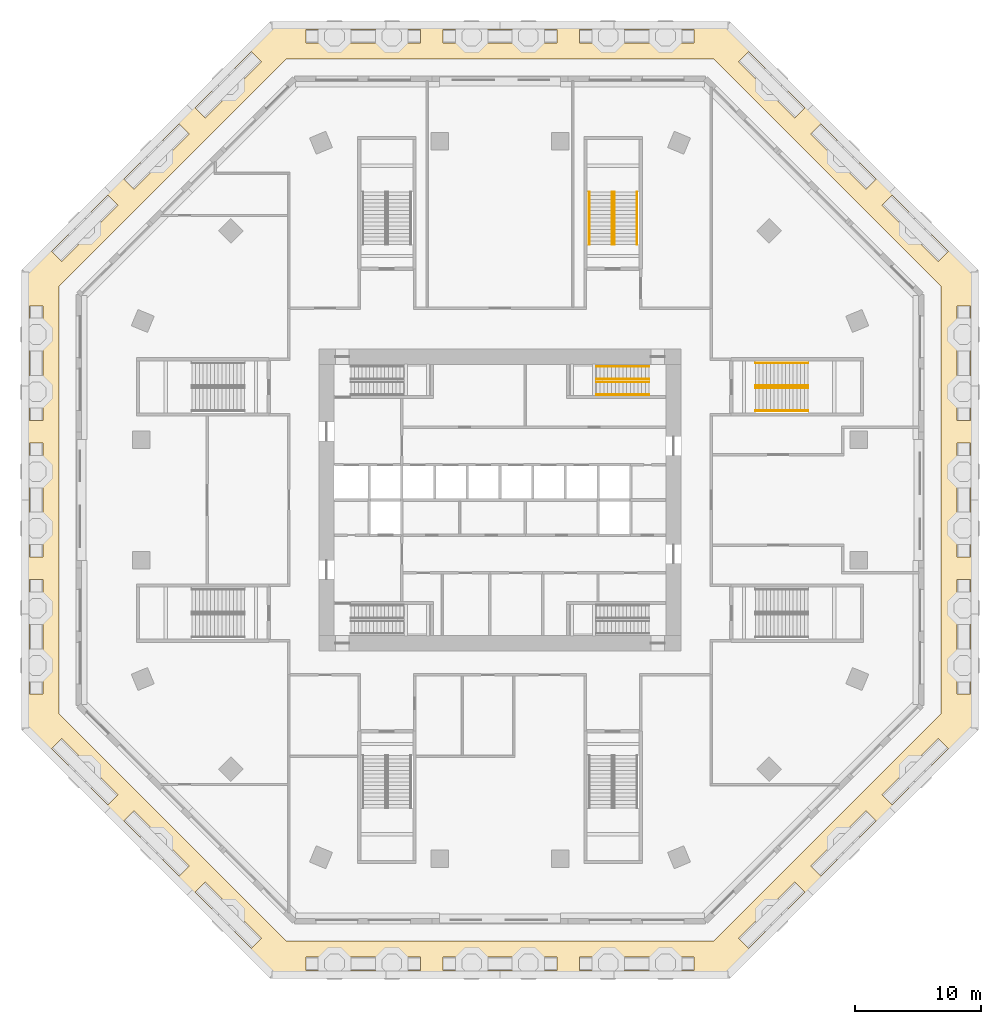
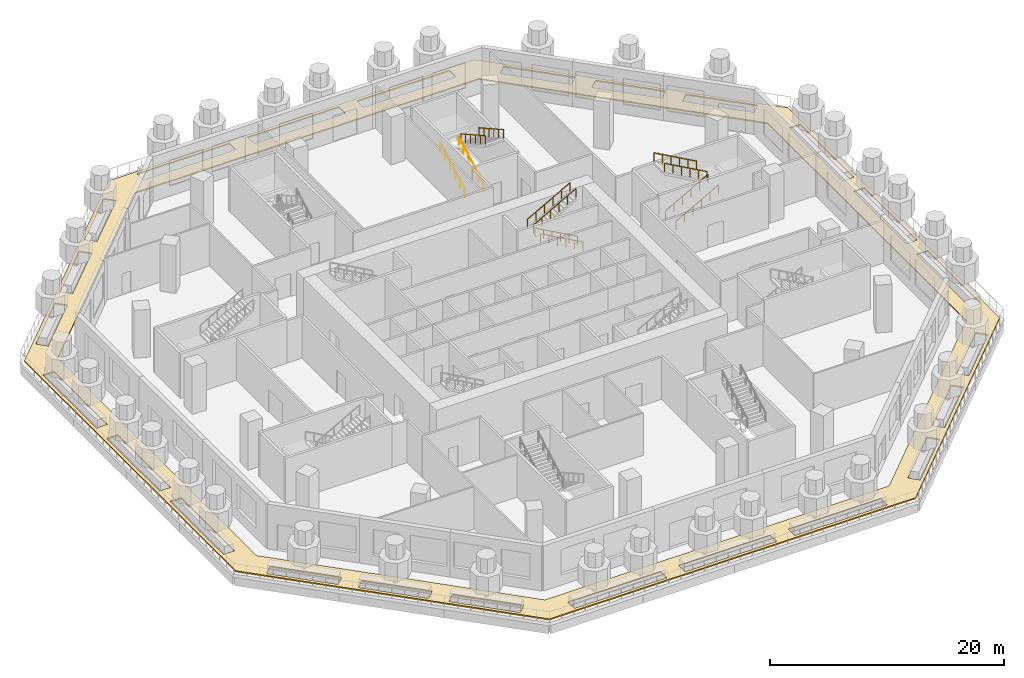
# One storey, part 12 of 13: 12 railings, 1 covering.
"""IFC4 building model written with IfcOpenShell, lengths in metres."""

from ifc_helpers import new_model, si_unit, direction, frame, origin, origin_2d, place, context, subcontext, project, spatial, polyline, circle, outline, extrude, material, layer, layer_set, constituent, constituent_set, type_object, element, save


model = new_model("IFC4")

# Units and contexts
model_context = context("Model", 3, precision=1e-05, world=origin(), true_north=direction((0.0, 1.0)))
body_context = subcontext(model_context, "Body", "Model", "MODEL_VIEW")
ifc_project = project(units=[si_unit("LENGTHUNIT", "METRE"), si_unit("AREAUNIT", "SQUARE_METRE"), si_unit("VOLUMEUNIT", "CUBIC_METRE"), si_unit("PLANEANGLEUNIT", "RADIAN"), si_unit("MASSUNIT", "GRAM", prefix="KILO")], contexts=[model_context])

# Site, building, storey
site_placement = place(None, origin())
site = spatial("IfcSite", under=ifc_project, at=site_placement, CompositionType="ELEMENT")
building_placement = place(site_placement, origin())
building = spatial("IfcBuilding", under=site, at=building_placement, Name="Msitu Wima Residences", CompositionType="ELEMENT")
storey_placement = place(building_placement, frame((0.0, 0.0, 16.0)))
storey = spatial("IfcBuildingStorey", under=building, at=storey_placement, Name="L03", CompositionType="ELEMENT", Elevation=16.0)

# Railings
ifc_material_1 = material(Name="Steel S355", Category="steel")
ifc_constituent_1 = constituent(ifc_material_1, Name="Steel S355")
ifc_material_2 = material(Name="Black powder coating")
ifc_constituent_2 = constituent(ifc_material_2, Name="Black powder coating")
ifc_constituent_set = constituent_set(constituents=[ifc_constituent_1, ifc_constituent_2], Name="Steel S355")
railing_type = type_object("IfcRailingType", Name="Stair handrail HR1", PredefinedType="HANDRAIL", material=ifc_constituent_set)
for number, where, name in (
    (1, (11.875, 8.375, 0.166748046875), "Stair 3 handrail"),
    (2, (11.875, 9.375, 0.166748046875), "Stair 3 handrail"),
):
    element("IfcRailing", number, at=place(storey_placement, frame(where)), inside=storey, type_object=railing_type, Name=name, PredefinedType="HANDRAIL", context=body_context, shape_type="SweptSolid", body=[
        extrude(circle(Radius=0.02392578125, at=origin_2d()), frame((0.0, 0.0, 0.8759765625), z_axis=(-0.874162069901, 0.0, 0.485634302275), x_axis=(0.0, -1.0, 0.0)), (0.0, 0.0, 1.0), 4.804443359375),
        extrude(circle(Radius=0.02099609375, at=origin_2d()), origin(), (0.0, 0.0, 1.0), 0.851806640625),
        extrude(circle(Radius=0.02099609375, at=origin_2d()), frame((-0.840087890625, 0.0, 0.466552734375)), (0.0, 0.0, 1.0), 0.851806640625),
        extrude(circle(Radius=0.02099609375, at=origin_2d()), frame((-1.679931640625, 0.0, 0.933349609375)), (0.0, 0.0, 1.0), 0.851806640625),
        extrude(circle(Radius=0.02099609375, at=origin_2d()), frame((-2.52001953125, 0.0, 1.39990234375)), (0.0, 0.0, 1.0), 0.851806640625),
        extrude(circle(Radius=0.02099609375, at=origin_2d()), frame((-3.35986328125, 0.0, 1.86669921875)), (0.0, 0.0, 1.0), 0.851806640625),
        extrude(circle(Radius=0.02099609375, at=origin_2d()), frame((-4.199951171875, 0.0, 2.333251953125)), (0.0, 0.0, 1.0), 0.851806640625),
    ])
for number, where, name in (
    (3, (7.675048828125, 9.625, 2.666748046875), "Stair 3 handrail"),
    (4, (7.675048828125, 10.625, 2.666748046875), "Stair 3 handrail"),
    (5, (20.324951171875, 7.10009765625, 0.166748046875), "Podium exit stair 1 handrail"),
    (6, (20.324951171875, 8.89990234375, 0.166748046875), "Podium exit stair 1 handrail"),
):
    element("IfcRailing", number, at=place(storey_placement, frame(where)), inside=storey, type_object=railing_type, Name=name, PredefinedType="HANDRAIL", context=body_context, shape_type="SweptSolid", body=[
        extrude(circle(Radius=0.02392578125, at=origin_2d()), frame((0.0, 0.0, 0.8759765625), z_axis=(0.874162069901, 0.0, 0.485634302275), x_axis=(0.0, 1.0, 0.0)), (0.0, 0.0, 1.0), 4.804443359375),
        extrude(circle(Radius=0.02099609375, at=origin_2d()), origin(), (0.0, 0.0, 1.0), 0.851806640625),
        extrude(circle(Radius=0.02099609375, at=origin_2d()), frame((0.840087890625, 0.0, 0.466552734375)), (0.0, 0.0, 1.0), 0.851806640625),
        extrude(circle(Radius=0.02099609375, at=origin_2d()), frame((1.679931640625, 0.0, 0.933349609375)), (0.0, 0.0, 1.0), 0.851806640625),
        extrude(circle(Radius=0.02099609375, at=origin_2d()), frame((2.52001953125, 0.0, 1.39990234375)), (0.0, 0.0, 1.0), 0.851806640625),
        extrude(circle(Radius=0.02099609375, at=origin_2d()), frame((3.35986328125, 0.0, 1.86669921875)), (0.0, 0.0, 1.0), 0.851806640625),
        extrude(circle(Radius=0.02099609375, at=origin_2d()), frame((4.199951171875, 0.0, 2.333251953125)), (0.0, 0.0, 1.0), 0.851806640625),
    ])
for number, where, name in (
    (7, (24.52490234375, 9.10009765625, 2.666748046875), "Podium exit stair 1 handrail"),
    (8, (24.52490234375, 10.89990234375, 2.666748046875), "Podium exit stair 1 handrail"),
):
    element("IfcRailing", number, at=place(storey_placement, frame(where)), inside=storey, type_object=railing_type, Name=name, PredefinedType="HANDRAIL", context=body_context, shape_type="SweptSolid", body=[
        extrude(circle(Radius=0.02392578125, at=origin_2d()), frame((0.0, 0.0, 0.8759765625), z_axis=(-0.874162069901, 0.0, 0.485634302275), x_axis=(0.0, -1.0, 0.0)), (0.0, 0.0, 1.0), 4.804443359375),
        extrude(circle(Radius=0.02099609375, at=origin_2d()), origin(), (0.0, 0.0, 1.0), 0.851806640625),
        extrude(circle(Radius=0.02099609375, at=origin_2d()), frame((-0.840087890625, 0.0, 0.466552734375)), (0.0, 0.0, 1.0), 0.851806640625),
        extrude(circle(Radius=0.02099609375, at=origin_2d()), frame((-1.679931640625, 0.0, 0.933349609375)), (0.0, 0.0, 1.0), 0.851806640625),
        extrude(circle(Radius=0.02099609375, at=origin_2d()), frame((-2.52001953125, 0.0, 1.39990234375)), (0.0, 0.0, 1.0), 0.851806640625),
        extrude(circle(Radius=0.02099609375, at=origin_2d()), frame((-3.35986328125, 0.0, 1.86669921875)), (0.0, 0.0, 1.0), 0.851806640625),
        extrude(circle(Radius=0.02099609375, at=origin_2d()), frame((-4.199951171875, 0.0, 2.333251953125)), (0.0, 0.0, 1.0), 0.851806640625),
    ])
for number, where, name in (
    (9, (7.10009765625, 20.324951171875, 0.166748046875), "Podium exit stair 4 handrail"),
    (10, (8.89990234375, 20.324951171875, 0.166748046875), "Podium exit stair 4 handrail"),
):
    element("IfcRailing", number, at=place(storey_placement, frame(where)), inside=storey, type_object=railing_type, Name=name, PredefinedType="HANDRAIL", context=body_context, shape_type="SweptSolid", body=[
        extrude(circle(Radius=0.02392578125, at=origin_2d()), frame((0.0, 0.0, 0.8759765625), z_axis=(0.0, 0.874162069901, 0.485634302275), x_axis=(-1.0, 0.0, 0.0)), (0.0, 0.0, 1.0), 4.804443359375),
        extrude(circle(Radius=0.02099609375, at=origin_2d()), origin(), (0.0, 0.0, 1.0), 0.851806640625),
        extrude(circle(Radius=0.02099609375, at=origin_2d()), frame((0.0, 0.840087890625, 0.466552734375)), (0.0, 0.0, 1.0), 0.851806640625),
        extrude(circle(Radius=0.02099609375, at=origin_2d()), frame((0.0, 1.679931640625, 0.933349609375)), (0.0, 0.0, 1.0), 0.851806640625),
        extrude(circle(Radius=0.02099609375, at=origin_2d()), frame((0.0, 2.52001953125, 1.39990234375)), (0.0, 0.0, 1.0), 0.851806640625),
        extrude(circle(Radius=0.02099609375, at=origin_2d()), frame((0.0, 3.35986328125, 1.86669921875)), (0.0, 0.0, 1.0), 0.851806640625),
        extrude(circle(Radius=0.02099609375, at=origin_2d()), frame((0.0, 4.199951171875, 2.333251953125)), (0.0, 0.0, 1.0), 0.851806640625),
    ])
for number, where, name in (
    (11, (9.10009765625, 24.52490234375, 2.666748046875), "Podium exit stair 4 handrail"),
    (12, (10.89990234375, 24.52490234375, 2.666748046875), "Podium exit stair 4 handrail"),
):
    element("IfcRailing", number, at=place(storey_placement, frame(where)), inside=storey, type_object=railing_type, Name=name, PredefinedType="HANDRAIL", context=body_context, shape_type="SweptSolid", body=[
        extrude(circle(Radius=0.02392578125, at=origin_2d()), frame((0.0, 0.0, 0.8759765625), z_axis=(0.0, -0.874162069901, 0.485634302275), x_axis=(1.0, 0.0, 0.0)), (0.0, 0.0, 1.0), 4.804443359375),
        extrude(circle(Radius=0.02099609375, at=origin_2d()), origin(), (0.0, 0.0, 1.0), 0.851806640625),
        extrude(circle(Radius=0.02099609375, at=origin_2d()), frame((0.0, -0.840087890625, 0.466552734375)), (0.0, 0.0, 1.0), 0.851806640625),
        extrude(circle(Radius=0.02099609375, at=origin_2d()), frame((0.0, -1.679931640625, 0.933349609375)), (0.0, 0.0, 1.0), 0.851806640625),
        extrude(circle(Radius=0.02099609375, at=origin_2d()), frame((0.0, -2.52001953125, 1.39990234375)), (0.0, 0.0, 1.0), 0.851806640625),
        extrude(circle(Radius=0.02099609375, at=origin_2d()), frame((0.0, -3.35986328125, 1.86669921875)), (0.0, 0.0, 1.0), 0.851806640625),
        extrude(circle(Radius=0.02099609375, at=origin_2d()), frame((0.0, -4.199951171875, 2.333251953125)), (0.0, 0.0, 1.0), 0.851806640625),
    ])

# Covering
ifc_material_3 = material(Name="Lawn and planting")
ifc_layer = layer(ifc_material_3, 0.1201171875)
ifc_layer_set = layer_set([ifc_layer], Name="Lawn and planting")
covering_type = type_object("IfcCoveringType", Name="Terrace planting PL120", PredefinedType="USERDEFINED", material=ifc_layer_set)
covering_placement = place(storey_placement, origin())
element("IfcCovering", 13, at=covering_placement, inside=storey, type_object=covering_type, Name="Terrace planting L03 1", ObjectType="PLANTING", PredefinedType="USERDEFINED", context=body_context, shape_type="SweptSolid", body=[
    extrude(outline(polyline([(-18.107177734375, -37.75), (-37.75, -18.107177734375), (-37.75, 18.107177734375), (-18.107177734375, 37.75), (18.107177734375, 37.75), (37.75, 18.107177734375), (37.75, -18.107177734375), (18.107177734375, -37.75), (-18.107177734375, -37.75)]), holes=[polyline([(-15.457275390625, -36.35009765625), (-15.457275390625, -37.449951171875), (-6.3212890625, -37.449951171875), (-6.3212890625, -36.35009765625), (-15.457275390625, -36.35009765625)]), polyline([(4.521240234375, -36.35009765625), (-4.521240234375, -36.35009765625), (-4.521240234375, -37.449951171875), (4.521240234375, -37.449951171875), (4.521240234375, -36.35009765625)]), polyline([(-18.9912109375, -34.88623046875), (-23.462890625, -30.414306640625), (-24.24072265625, -31.192138671875), (-19.76904296875, -35.6640625), (-18.9912109375, -34.88623046875)]), polyline([(-29.1416015625, -24.735595703125), (-29.91943359375, -25.513427734375), (-25.513427734375, -29.91943359375), (-24.735595703125, -29.1416015625), (-29.1416015625, -24.735595703125)]), polyline([(-30.414306640625, -23.462890625), (-34.88623046875, -18.9912109375), (-35.6640625, -19.76904296875), (-31.192138671875, -24.24072265625), (-30.414306640625, -23.462890625)]), polyline([(-36.35009765625, -15.457275390625), (-36.35009765625, -6.3212890625), (-37.449951171875, -6.3212890625), (-37.449951171875, -15.457275390625), (-36.35009765625, -15.457275390625)]), polyline([(-36.35009765625, 4.521240234375), (-37.449951171875, 4.521240234375), (-37.449951171875, -4.521240234375), (-36.35009765625, -4.521240234375), (-36.35009765625, 4.521240234375)]), polyline([(-36.35009765625, 6.3212890625), (-36.35009765625, 15.457275390625), (-37.449951171875, 15.457275390625), (-37.449951171875, 6.3212890625), (-36.35009765625, 6.3212890625)]), polyline([(-34.88623046875, 18.9912109375), (-30.414306640625, 23.462890625), (-31.192138671875, 24.24072265625), (-35.6640625, 19.76904296875), (-34.88623046875, 18.9912109375)]), polyline([(-24.735595703125, 29.1416015625), (-25.513427734375, 29.91943359375), (-29.91943359375, 25.513427734375), (-29.1416015625, 24.735595703125), (-24.735595703125, 29.1416015625)]), polyline([(-23.462890625, 30.414306640625), (-18.9912109375, 34.88623046875), (-19.76904296875, 35.6640625), (-24.24072265625, 31.192138671875), (-23.462890625, 30.414306640625)]), polyline([(-15.457275390625, 36.35009765625), (-6.3212890625, 36.35009765625), (-6.3212890625, 37.449951171875), (-15.457275390625, 37.449951171875), (-15.457275390625, 36.35009765625)]), polyline([(4.521240234375, 36.35009765625), (4.521240234375, 37.449951171875), (-4.521240234375, 37.449951171875), (-4.521240234375, 36.35009765625), (4.521240234375, 36.35009765625)]), polyline([(15.457275390625, -36.35009765625), (6.3212890625, -36.35009765625), (6.3212890625, -37.449951171875), (15.457275390625, -37.449951171875), (15.457275390625, -36.35009765625)]), polyline([(23.462890625, -30.414306640625), (18.9912109375, -34.88623046875), (19.76904296875, -35.6640625), (24.24072265625, -31.192138671875), (23.462890625, -30.414306640625)]), polyline([(24.735595703125, -29.1416015625), (25.513427734375, -29.91943359375), (29.91943359375, -25.513427734375), (29.1416015625, -24.735595703125), (24.735595703125, -29.1416015625)]), polyline([(34.88623046875, -18.9912109375), (30.414306640625, -23.462890625), (31.192138671875, -24.24072265625), (35.6640625, -19.76904296875), (34.88623046875, -18.9912109375)]), polyline([(36.35009765625, -6.3212890625), (36.35009765625, -15.457275390625), (37.449951171875, -15.457275390625), (37.449951171875, -6.3212890625), (36.35009765625, -6.3212890625)]), polyline([(-17.009521484375, -35.10009765625), (17.009521484375, -35.10009765625), (35.10009765625, -17.009521484375), (35.10009765625, 17.009521484375), (17.009521484375, 35.10009765625), (-17.009521484375, 35.10009765625), (-35.10009765625, 17.009521484375), (-35.10009765625, -17.009521484375), (-17.009521484375, -35.10009765625)]), polyline([(36.35009765625, 4.521240234375), (36.35009765625, -4.521240234375), (37.449951171875, -4.521240234375), (37.449951171875, 4.521240234375), (36.35009765625, 4.521240234375)]), polyline([(36.35009765625, 15.457275390625), (36.35009765625, 6.3212890625), (37.449951171875, 6.3212890625), (37.449951171875, 15.457275390625), (36.35009765625, 15.457275390625)]), polyline([(30.414306640625, 23.462890625), (34.88623046875, 18.9912109375), (35.6640625, 19.76904296875), (31.192138671875, 24.24072265625), (30.414306640625, 23.462890625)]), polyline([(24.735595703125, 29.1416015625), (29.1416015625, 24.735595703125), (29.91943359375, 25.513427734375), (25.513427734375, 29.91943359375), (24.735595703125, 29.1416015625)]), polyline([(18.9912109375, 34.88623046875), (23.462890625, 30.414306640625), (24.24072265625, 31.192138671875), (19.76904296875, 35.6640625), (18.9912109375, 34.88623046875)]), polyline([(6.3212890625, 36.35009765625), (15.457275390625, 36.35009765625), (15.457275390625, 37.449951171875), (6.3212890625, 37.449951171875), (6.3212890625, 36.35009765625)])]), origin(), (0.0, 0.0, 1.0), 0.1201171875),
])

save(model, "model.ifc")
